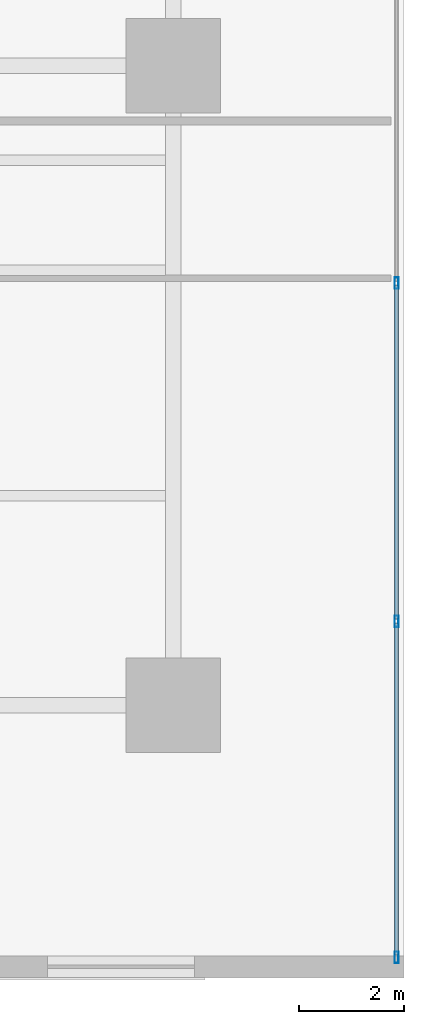
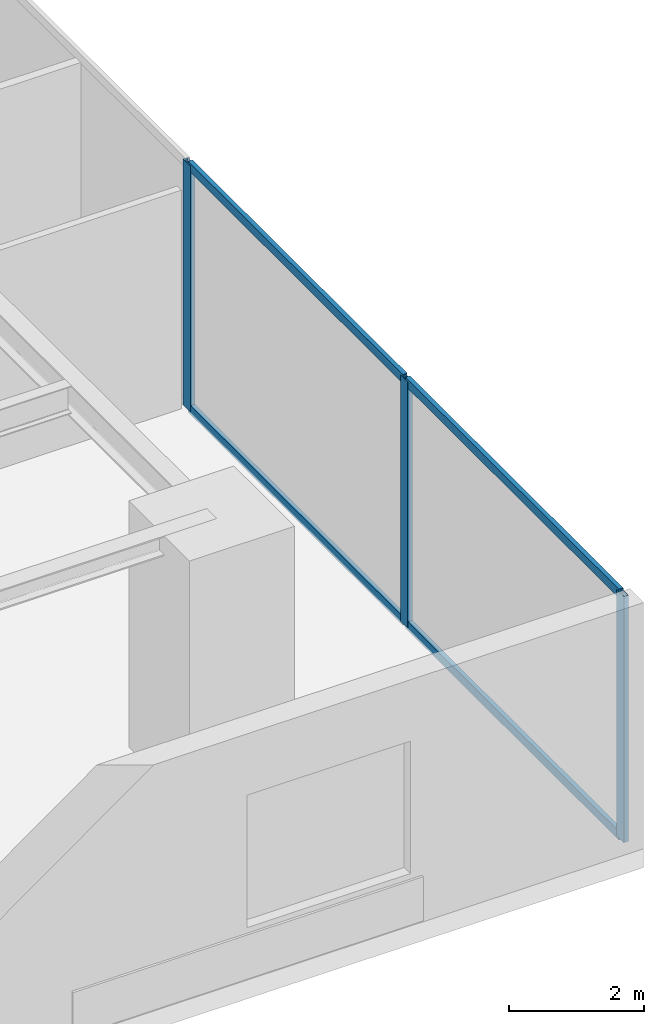
# One storey, part 8 of 16: 7 members, 1 element without a shape of its own.
"""IFC4 building model written with IfcOpenShell, lengths in metres."""

from ifc_helpers import new_model, si_unit, direction, frame, origin, origin_with_axes, origin_2d, place, context, subcontext, project, spatial, hollow_rectangle, extrude, source, transform, mapped, material, layer, layer_set, material_profile, profile_set, type_object, element, aggregate, save


model = new_model("IFC4")

# Units and contexts
model_context = context("Model", 3, precision=1e-05, world=origin(), true_north=direction((0.0, 1.0)))
body_context = subcontext(model_context, "Body", "Model", "MODEL_VIEW")
ifc_project = project(units=[si_unit("LENGTHUNIT", "METRE"), si_unit("AREAUNIT", "SQUARE_METRE"), si_unit("VOLUMEUNIT", "CUBIC_METRE"), si_unit("PLANEANGLEUNIT", "RADIAN"), si_unit("MASSUNIT", "GRAM", prefix="KILO")], contexts=[model_context])

# Site, building, storey
site_placement = place(None, origin())
site = spatial("IfcSite", under=ifc_project, at=site_placement, CompositionType="ELEMENT")
building_placement = place(site_placement, origin())
building = spatial("IfcBuilding", under=site, at=building_placement, Name="Kolvaren Waterfront Exchange", CompositionType="ELEMENT")
storey_placement = place(building_placement, frame((0.0, 0.0, 20.0)))
storey = spatial("IfcBuildingStorey", under=building, at=storey_placement, Name="L05", CompositionType="ELEMENT", Elevation=20.0)

# Curtain wall, members
ifc_material_1 = material(Name="Anodised bronze aluminium 6063-T6", Category="aluminium")
ifc_layer = layer(ifc_material_1, 0.219970703125, Name="Anodised bronze aluminium 6063-T6")
ifc_layer_set = layer_set([ifc_layer], Name="Anodised bronze aluminium 6063-T6")
curtain_wall_type = type_object("IfcCurtainWallType", Name="ARC-CW-SYS4", PredefinedType="USERDEFINED", material=ifc_layer_set)
curtain_wall_placement = place(storey_placement, origin())
curtain_wall = element("IfcCurtainWall", 1, at=curtain_wall_placement, inside=storey, type_object=curtain_wall_type, Name="L05 stick curtain wall CW4 (CW-L05-E1)", ObjectType="STICK CURTAIN WALL", PredefinedType="USERDEFINED")
ifc_material_2 = material(Name="Anodised aluminium 6063-T6", Category="aluminium")
ifc_material_profile_1 = material_profile(ifc_material_2, hollow_rectangle(XDim=0.080078125, YDim=0.219970703125, WallThickness=0.0048828125, at=origin_2d()), Name="ALU-MUL-220x80x5")
ifc_profile_set_1 = profile_set([ifc_material_profile_1], Name="Anodised aluminium 6063-T6")
member_type_1 = type_object("IfcMemberType", Name="ARC-CWM-220", PredefinedType="MULLION", material=ifc_profile_set_1)
shared_shape_1 = source(origin_with_axes(), body_context, "Body", "SweptSolid", [
    extrude(hollow_rectangle(XDim=0.080078125, YDim=0.219970703125, WallThickness=0.0048828125, at=origin_2d()), origin(), (0.0, 0.0, 1.0), 4.4599609375),
])
member_1_placement = place(storey_placement, frame((64.659912109375, 0.389892578125, 0.0), z_axis=(0.0, 0.0, 1.0), x_axis=(-1.0, 0.0, 0.0)))
member_1 = element("IfcMember", 2, at=member_1_placement, type_object=member_type_1, Name="CW4 mullion 1", PredefinedType="MULLION", context=body_context, shape_type="MappedRepresentation", body=[
    mapped(shared_shape_1, transform((0.0, 0.0, 0.0), x_axis=(1.0, 0.0, 0.0), y_axis=(0.0, 1.0, 0.0), z_axis=(0.0, 0.0, 1.0), scale=1.0)),
])
member_2_placement = place(storey_placement, frame((64.659912109375, 6.8017578125, 0.0), z_axis=(0.0, 0.0, 1.0), x_axis=(-1.0, 0.0, 0.0)))
member_2 = element("IfcMember", 3, at=member_2_placement, type_object=member_type_1, Name="CW4 mullion 2", PredefinedType="MULLION", context=body_context, shape_type="MappedRepresentation", body=[
    mapped(shared_shape_1, transform((0.0, 0.0, 0.0), x_axis=(1.0, 0.0, 0.0), y_axis=(0.0, 1.0, 0.0), z_axis=(0.0, 0.0, 1.0), scale=1.0)),
])
member_3_placement = place(storey_placement, frame((64.659912109375, 13.25341796875, 0.0), z_axis=(0.0, 0.0, 1.0), x_axis=(-1.0, 0.0, 0.0)))
member_3 = element("IfcMember", 4, at=member_3_placement, type_object=member_type_1, Name="CW4 mullion 3", PredefinedType="MULLION", context=body_context, shape_type="MappedRepresentation", body=[
    mapped(shared_shape_1, transform((0.0, 0.0, 0.0), x_axis=(1.0, 0.0, 0.0), y_axis=(0.0, 1.0, 0.0), z_axis=(0.0, 0.0, 1.0), scale=1.0)),
])
ifc_material_profile_2 = material_profile(ifc_material_2, hollow_rectangle(XDim=0.074951171875, YDim=0.159912109375, WallThickness=0.00439453125, at=origin_2d()), Name="ALU-TRN-160x75x4.5")
ifc_profile_set_2 = profile_set([ifc_material_profile_2], Name="Anodised aluminium 6063-T6")
member_type_2 = type_object("IfcMemberType", Name="ARC-CWT-160", PredefinedType="USERDEFINED", material=ifc_profile_set_2)
shared_shape_2 = source(origin_with_axes(), body_context, "Body", "SweptSolid", [
    extrude(hollow_rectangle(XDim=0.074951171875, YDim=0.159912109375, WallThickness=0.00439453125, at=origin_2d()), origin(), (0.0, 0.0, 1.0), 6.331787109375),
])
member_4_placement = place(storey_placement, frame((64.659912109375, 0.429931640625, 0.03759765625), z_axis=(0.0, 1.0, 0.0), x_axis=(-1.0, 0.0, 0.0)))
member_4 = element("IfcMember", 5, at=member_4_placement, type_object=member_type_2, Name="CW4 transom 1.1", ObjectType="TRANSOM", PredefinedType="USERDEFINED", context=body_context, shape_type="MappedRepresentation", body=[
    mapped(shared_shape_2, transform((0.0, 0.0, 0.0), x_axis=(1.0, 0.0, 0.0), y_axis=(0.0, 1.0, 0.0), z_axis=(0.0, 0.0, 1.0), scale=1.0)),
])
member_5_placement = place(storey_placement, frame((64.659912109375, 0.429931640625, 4.422607421875), z_axis=(0.0, 1.0, 0.0), x_axis=(-1.0, 0.0, 0.0)))
member_5 = element("IfcMember", 6, at=member_5_placement, type_object=member_type_2, Name="CW4 transom 1.2", ObjectType="TRANSOM", PredefinedType="USERDEFINED", context=body_context, shape_type="MappedRepresentation", body=[
    mapped(shared_shape_2, transform((0.0, 0.0, 0.0), x_axis=(1.0, 0.0, 0.0), y_axis=(0.0, 1.0, 0.0), z_axis=(0.0, 0.0, 1.0), scale=1.0)),
])
shared_shape_3 = source(origin_with_axes(), body_context, "Body", "SweptSolid", [
    extrude(hollow_rectangle(XDim=0.074951171875, YDim=0.159912109375, WallThickness=0.00439453125, at=origin_2d()), origin(), (0.0, 0.0, 1.0), 6.371826171875),
])
member_6_placement = place(storey_placement, frame((64.659912109375, 6.841552734375, 0.03759765625), z_axis=(0.0, 1.0, 0.0), x_axis=(-1.0, 0.0, 0.0)))
member_6 = element("IfcMember", 7, at=member_6_placement, type_object=member_type_2, Name="CW4 transom 2.1", ObjectType="TRANSOM", PredefinedType="USERDEFINED", context=body_context, shape_type="MappedRepresentation", body=[
    mapped(shared_shape_3, transform((0.0, 0.0, 0.0), x_axis=(1.0, 0.0, 0.0), y_axis=(0.0, 1.0, 0.0), z_axis=(0.0, 0.0, 1.0), scale=1.0)),
])
member_7_placement = place(storey_placement, frame((64.659912109375, 6.841552734375, 4.422607421875), z_axis=(0.0, 1.0, 0.0), x_axis=(-1.0, 0.0, 0.0)))
member_7 = element("IfcMember", 8, at=member_7_placement, type_object=member_type_2, Name="CW4 transom 2.2", ObjectType="TRANSOM", PredefinedType="USERDEFINED", context=body_context, shape_type="MappedRepresentation", body=[
    mapped(shared_shape_3, transform((0.0, 0.0, 0.0), x_axis=(1.0, 0.0, 0.0), y_axis=(0.0, 1.0, 0.0), z_axis=(0.0, 0.0, 1.0), scale=1.0)),
])
aggregate(curtain_wall, [member_1, member_2, member_3, member_4, member_5, member_6, member_7])

save(model, "model.ifc")
